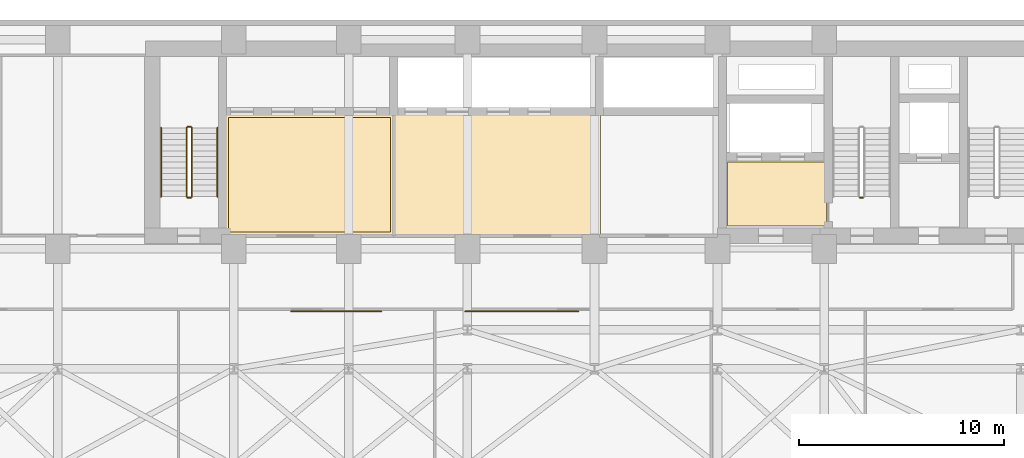
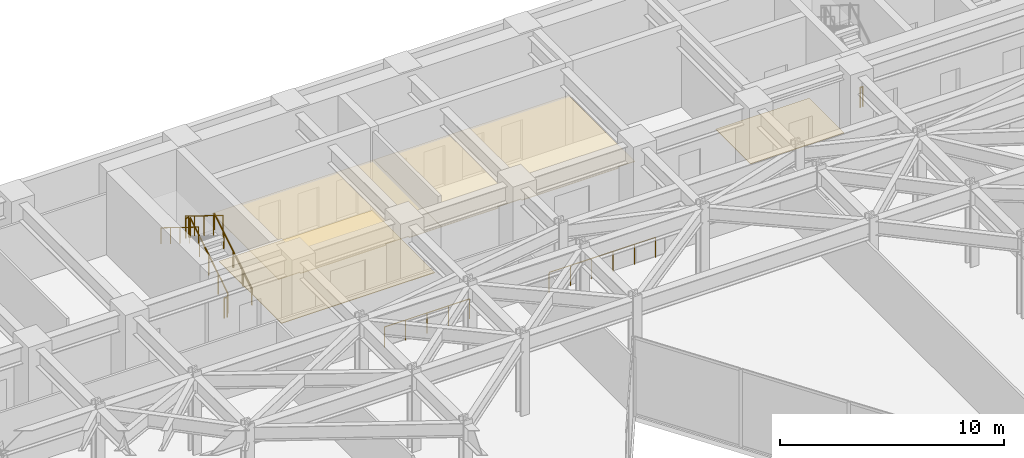
# One storey, part 27 of 28: 9 railings, 4 coverings.
"""IFC4 building model written with IfcOpenShell, lengths in metres."""

from ifc_helpers import new_model, si_unit, direction, frame, origin, origin_2d, place, context, subcontext, project, spatial, polyline, circle, outline, extrude, material, layer, layer_set, type_object, element, save


model = new_model("IFC4")

# Units and contexts
model_context = context("Model", 3, precision=1e-05, world=origin(), true_north=direction((0.0, 1.0)))
body_context = subcontext(model_context, "Body", "Model", "MODEL_VIEW")
ifc_project = project(units=[si_unit("LENGTHUNIT", "METRE"), si_unit("AREAUNIT", "SQUARE_METRE"), si_unit("VOLUMEUNIT", "CUBIC_METRE"), si_unit("PLANEANGLEUNIT", "RADIAN"), si_unit("MASSUNIT", "GRAM", prefix="KILO")], contexts=[model_context])

# Site, building, storey
site_placement = place(None, origin())
site = spatial("IfcSite", under=ifc_project, at=site_placement, CompositionType="ELEMENT")
building_placement = place(site_placement, origin())
building = spatial("IfcBuilding", under=site, at=building_placement, Name="Kravanh Interchange Tower", CompositionType="ELEMENT")
storey_placement = place(building_placement, frame((0.0, 0.0, 91.5)))
storey = spatial("IfcBuildingStorey", under=building, at=storey_placement, Name="L21", CompositionType="ELEMENT", Elevation=91.5)

# Railings
ifc_material_1 = material(Name="Structural Steel S355", Category="steel")
ifc_layer_1 = layer(ifc_material_1, 0.06005859375)
ifc_layer_set_1 = layer_set([ifc_layer_1], Name="Atrium Void Glazed Balustrade Structural Steel S355 1120mm")
railing_type_1 = type_object("IfcRailingType", Name="Atrium Void Glazed Balustrade Structural Steel S355 1120mm", PredefinedType="BALUSTRADE", material=ifc_layer_set_1)
railing_1_placement = place(storey_placement, frame((30.0, 34.300048828125, 0.0)))
element("IfcRailing", 1, at=railing_1_placement, inside=storey, type_object=railing_type_1, Name="L21 Sky Lobby Gallery Balustrade 1", PredefinedType="BALUSTRADE", context=body_context, shape_type="SweptSolid", body=[
    extrude(circle(Radius=0.02392578125, at=origin_2d()), frame((0.0, 0.0, 1.09619140625), z_axis=(1.0, 0.0, 0.0), x_axis=(0.0, 1.0, 0.0)), (0.0, 0.0, 1.0), 4.39990234375),
    extrude(circle(Radius=0.02099609375, at=origin_2d()), origin(), (0.0, 0.0, 1.0), 1.072021484375),
    extrude(circle(Radius=0.02099609375, at=origin_2d()), frame((1.10009765625, 0.0, 0.0)), (0.0, 0.0, 1.0), 1.072021484375),
    extrude(circle(Radius=0.02099609375, at=origin_2d()), frame((2.199951171875, 0.0, 0.0)), (0.0, 0.0, 1.0), 1.072021484375),
    extrude(circle(Radius=0.02099609375, at=origin_2d()), frame((3.2998046875, 0.0, 0.0)), (0.0, 0.0, 1.0), 1.072021484375),
    extrude(circle(Radius=0.02099609375, at=origin_2d()), frame((4.39990234375, 0.0, 0.0)), (0.0, 0.0, 1.0), 1.072021484375),
])
railing_2_placement = place(storey_placement, frame((38.5, 34.300048828125, 0.0)))
element("IfcRailing", 2, at=railing_2_placement, inside=storey, type_object=railing_type_1, Name="L21 Sky Lobby Gallery Balustrade 2", PredefinedType="BALUSTRADE", context=body_context, shape_type="SweptSolid", body=[
    extrude(circle(Radius=0.02392578125, at=origin_2d()), frame((0.0, 0.0, 1.09619140625), z_axis=(1.0, 0.0, 0.0), x_axis=(0.0, 1.0, 0.0)), (0.0, 0.0, 1.0), 5.5),
    extrude(circle(Radius=0.02099609375, at=origin_2d()), origin(), (0.0, 0.0, 1.0), 1.072021484375),
    extrude(circle(Radius=0.02099609375, at=origin_2d()), frame((1.10009765625, 0.0, 0.0)), (0.0, 0.0, 1.0), 1.072021484375),
    extrude(circle(Radius=0.02099609375, at=origin_2d()), frame((2.199951171875, 0.0, 0.0)), (0.0, 0.0, 1.0), 1.072021484375),
    extrude(circle(Radius=0.02099609375, at=origin_2d()), frame((3.300048828125, 0.0, 0.0)), (0.0, 0.0, 1.0), 1.072021484375),
    extrude(circle(Radius=0.02099609375, at=origin_2d()), frame((4.39990234375, 0.0, 0.0)), (0.0, 0.0, 1.0), 1.072021484375),
    extrude(circle(Radius=0.02099609375, at=origin_2d()), frame((5.5, 0.0, 0.0)), (0.0, 0.0, 1.0), 1.072021484375),
])

# Coverings
ifc_material_2 = material(Name="Cementitious Terrazzo Tile")
ifc_layer_2 = layer(ifc_material_2, 0.030029296875)
ifc_layer_set_2 = layer_set([ifc_layer_2], Name="Honed Terrazzo Lobby Flooring 30mm")
covering_type_1 = type_object("IfcCoveringType", Name="Honed Terrazzo Lobby Flooring 30mm", PredefinedType="FLOORING", material=ifc_layer_set_2)
covering_1_placement = place(storey_placement, origin())
element("IfcCovering", 3, at=covering_1_placement, inside=storey, type_object=covering_type_1, Name="L21 Firefighting Lobby Floor Finish", PredefinedType="FLOORING", context=body_context, shape_type="SweptSolid", body=[
    extrude(outline(polyline([(56.1201171875, 38.4599609375), (51.300048828125, 38.4599609375), (51.300048828125, 41.580078125), (56.1201171875, 41.580078125), (56.1201171875, 38.4599609375)])), origin(), (0.0, 0.0, 1.0), 0.030029296875),
])
covering_2_placement = place(storey_placement, origin())
element("IfcCovering", 4, at=covering_2_placement, inside=storey, type_object=covering_type_1, Name="L21 Low-Rise Lift Lobby Floor Finish", PredefinedType="FLOORING", context=body_context, shape_type="SweptSolid", body=[
    extrude(outline(polyline([(26.929931640625, 43.77001953125), (34.840087890625, 43.77001953125), (34.840087890625, 38.179931640625), (26.929931640625, 38.179931640625), (26.929931640625, 43.77001953125)])), origin(), (0.0, 0.0, 1.0), 0.030029296875),
])
ifc_material_3 = material(Name="Anodised Bronze Aluminium Acoustic Baffle", Category="aluminium")
ifc_layer_3 = layer(ifc_material_3, 0.034912109375)
ifc_layer_set_3 = layer_set([ifc_layer_3], Name="Linear Bronze Baffle Feature Ceiling 35mm")
covering_type_2 = type_object("IfcCoveringType", Name="Linear Bronze Baffle Feature Ceiling 35mm", PredefinedType="CEILING", material=ifc_layer_set_3)
covering_3_placement = place(storey_placement, frame((0.0, 0.0, 2.550048828125)))
element("IfcCovering", 5, at=covering_3_placement, inside=storey, type_object=covering_type_2, Name="L21 Low-Rise Lift Lobby Suspended Ceiling", PredefinedType="CEILING", context=body_context, shape_type="SweptSolid", body=[
    extrude(outline(polyline([(35.06005859375, 37.9599609375), (33.39990234375, 37.9599609375), (33.39990234375, 38.050048828125), (32.199951171875, 38.050048828125), (32.199951171875, 37.9599609375), (27.800048828125, 37.9599609375), (27.800048828125, 38.050048828125), (26.7099609375, 38.050048828125), (26.7099609375, 43.989990234375), (35.06005859375, 43.989990234375), (35.06005859375, 37.9599609375)])), origin(), (0.0, 0.0, 1.0), 0.034912109375),
])
covering_4_placement = place(storey_placement, frame((0.0, 0.0, 2.550048828125)))
element("IfcCovering", 6, at=covering_4_placement, inside=storey, type_object=covering_type_2, Name="L21 Mid-Rise Lift Lobby Suspended Ceiling", PredefinedType="CEILING", context=body_context, shape_type="SweptSolid", body=[
    extrude(outline(polyline([(45.090087890625, 38.050048828125), (44.199951171875, 38.050048828125), (44.199951171875, 37.9599609375), (39.199951171875, 37.9599609375), (39.199951171875, 38.050048828125), (38.0, 38.050048828125), (38.0, 37.9599609375), (34.93994140625, 37.9599609375), (34.93994140625, 43.989990234375), (45.090087890625, 43.989990234375), (45.090087890625, 38.050048828125)])), origin(), (0.0, 0.0, 1.0), 0.034912109375),
])

# Railings
ifc_material_4 = material(Name="Structural Steel S355", Category="steel")
ifc_layer_4 = layer(ifc_material_4, 0.050048828125)
ifc_layer_set_4 = layer_set([ifc_layer_4], Name="Stair Well Guardrail Structural Steel S355 1100mm")
railing_type_2 = type_object("IfcRailingType", Name="Stair Well Guardrail Structural Steel S355 1100mm", PredefinedType="GUARDRAIL", material=ifc_layer_set_4)
railing_3_placement = place(storey_placement, frame((57.89990234375, 39.85009765625, 0.0)))
element("IfcRailing", 7, at=railing_3_placement, inside=storey, type_object=railing_type_2, Name="L21 ST2 stair guard 4", PredefinedType="GUARDRAIL", context=body_context, shape_type="SweptSolid", body=[
    extrude(circle(Radius=0.02392578125, at=origin_2d()), frame((0.0, 0.0, 1.076171875), z_axis=(-1.0, 0.0, 0.0), x_axis=(0.0, -1.0, 0.0)), (0.0, 0.0, 1.0), 0.14990234375),
    extrude(circle(Radius=0.02099609375, at=origin_2d()), origin(), (0.0, 0.0, 1.0), 1.052001953125),
    extrude(circle(Radius=0.02099609375, at=origin_2d()), frame((-0.14990234375, 0.0, 0.0)), (0.0, 0.0, 1.0), 1.052001953125),
])
railing_4_placement = place(storey_placement, frame((25.14990234375, 39.89990234375, 0.173095703125)))
element("IfcRailing", 8, at=railing_4_placement, inside=storey, type_object=railing_type_2, Name="L21 ST3 stair guard 1", PredefinedType="GUARDRAIL", context=body_context, shape_type="SweptSolid", body=[
    extrude(circle(Radius=0.02392578125, at=origin_2d()), frame((0.0, 0.0, 1.076171875), z_axis=(0.0, 0.850623216509, 0.525775754039), x_axis=(-1.0, 0.0, 0.0)), (0.0, 0.0, 1.0), 3.9501953125),
    extrude(circle(Radius=0.02099609375, at=origin_2d()), origin(), (0.0, 0.0, 1.0), 1.052001953125),
    extrude(circle(Radius=0.02099609375, at=origin_2d()), frame((0.0, 0.840087890625, 0.519287109375)), (0.0, 0.0, 1.0), 1.052001953125),
    extrude(circle(Radius=0.02099609375, at=origin_2d()), frame((0.0, 1.68017578125, 1.03857421875)), (0.0, 0.0, 1.0), 1.052001953125),
    extrude(circle(Radius=0.02099609375, at=origin_2d()), frame((0.0, 2.52001953125, 1.5576171875)), (0.0, 0.0, 1.0), 1.052001953125),
    extrude(circle(Radius=0.02099609375, at=origin_2d()), frame((0.0, 3.360107421875, 2.076904296875)), (0.0, 0.0, 1.0), 1.052001953125),
])
railing_5_placement = place(storey_placement, frame((25.10009765625, 43.31005859375, 2.25)))
element("IfcRailing", 9, at=railing_5_placement, inside=storey, type_object=railing_type_2, Name="L21 ST3 stair guard 2", PredefinedType="GUARDRAIL", context=body_context, shape_type="SweptSolid", body=[
    extrude(circle(Radius=0.02392578125, at=origin_2d()), frame((0.0, 0.0, 1.076171875), z_axis=(-1.0, 0.0, 0.0), x_axis=(0.0, -1.0, 0.0)), (0.0, 0.0, 1.0), 0.150146484375),
    extrude(circle(Radius=0.02099609375, at=origin_2d()), origin(), (0.0, 0.0, 1.0), 1.052001953125),
    extrude(circle(Radius=0.02099609375, at=origin_2d()), frame((-0.150146484375, 0.0, 0.0)), (0.0, 0.0, 1.0), 1.052001953125),
])
railing_6_placement = place(storey_placement, frame((24.89990234375, 43.260009765625, 2.423095703125)))
element("IfcRailing", 10, at=railing_6_placement, inside=storey, type_object=railing_type_2, Name="L21 ST3 stair guard 3", PredefinedType="GUARDRAIL", context=body_context, shape_type="SweptSolid", body=[
    extrude(circle(Radius=0.02392578125, at=origin_2d()), frame((0.0, 0.0, 1.076171875), z_axis=(0.0, -0.850623216509, 0.525775754039), x_axis=(1.0, 0.0, 0.0)), (0.0, 0.0, 1.0), 3.9501953125),
    extrude(circle(Radius=0.02099609375, at=origin_2d()), origin(), (0.0, 0.0, 1.0), 1.052001953125),
    extrude(circle(Radius=0.02099609375, at=origin_2d()), frame((0.0, -0.840087890625, 0.519287109375)), (0.0, 0.0, 1.0), 1.052001953125),
    extrude(circle(Radius=0.02099609375, at=origin_2d()), frame((0.0, -1.68017578125, 1.03857421875)), (0.0, 0.0, 1.0), 1.052001953125),
    extrude(circle(Radius=0.02099609375, at=origin_2d()), frame((0.0, -2.52001953125, 1.5576171875)), (0.0, 0.0, 1.0), 1.052001953125),
    extrude(circle(Radius=0.02099609375, at=origin_2d()), frame((0.0, -3.360107421875, 2.076904296875)), (0.0, 0.0, 1.0), 1.052001953125),
])
railing_7_placement = place(storey_placement, frame((25.10009765625, 39.85009765625, 0.0)))
element("IfcRailing", 11, at=railing_7_placement, inside=storey, type_object=railing_type_2, Name="L21 ST3 stair guard 4", PredefinedType="GUARDRAIL", context=body_context, shape_type="SweptSolid", body=[
    extrude(circle(Radius=0.02392578125, at=origin_2d()), frame((0.0, 0.0, 1.076171875), z_axis=(-1.0, 0.0, 0.0), x_axis=(0.0, -1.0, 0.0)), (0.0, 0.0, 1.0), 0.150146484375),
    extrude(circle(Radius=0.02099609375, at=origin_2d()), origin(), (0.0, 0.0, 1.0), 1.052001953125),
    extrude(circle(Radius=0.02099609375, at=origin_2d()), frame((-0.150146484375, 0.0, 0.0)), (0.0, 0.0, 1.0), 1.052001953125),
])
ifc_material_5 = material(Name="Stainless Steel 304", Category="steel")
ifc_layer_5 = layer(ifc_material_5, 0.044921875)
ifc_layer_set_5 = layer_set([ifc_layer_5], Name="Tubular Stair Handrail Stainless 304 900mm")
railing_type_3 = type_object("IfcRailingType", Name="Tubular Stair Handrail Stainless 304 900mm", PredefinedType="HANDRAIL", material=ifc_layer_set_5)
railing_8_placement = place(storey_placement, frame((26.39990234375, 39.89990234375, 0.173095703125)))
element("IfcRailing", 12, at=railing_8_placement, inside=storey, type_object=railing_type_3, Name="L21 ST3 stair handrail 1", PredefinedType="HANDRAIL", context=body_context, shape_type="SweptSolid", body=[
    extrude(circle(Radius=0.02392578125, at=origin_2d()), frame((0.0, 0.0, 0.8759765625), z_axis=(0.0, 0.850623216509, 0.525775754039), x_axis=(-1.0, 0.0, 0.0)), (0.0, 0.0, 1.0), 3.9501953125),
    extrude(circle(Radius=0.02099609375, at=origin_2d()), origin(), (0.0, 0.0, 1.0), 0.851806640625),
    extrude(circle(Radius=0.02099609375, at=origin_2d()), frame((0.0, 0.840087890625, 0.519287109375)), (0.0, 0.0, 1.0), 0.851806640625),
    extrude(circle(Radius=0.02099609375, at=origin_2d()), frame((0.0, 1.68017578125, 1.03857421875)), (0.0, 0.0, 1.0), 0.851806640625),
    extrude(circle(Radius=0.02099609375, at=origin_2d()), frame((0.0, 2.52001953125, 1.5576171875)), (0.0, 0.0, 1.0), 0.851806640625),
    extrude(circle(Radius=0.02099609375, at=origin_2d()), frame((0.0, 3.360107421875, 2.076904296875)), (0.0, 0.0, 1.0), 0.851806640625),
])
railing_9_placement = place(storey_placement, frame((23.64990234375, 43.260009765625, 2.423095703125)))
element("IfcRailing", 13, at=railing_9_placement, inside=storey, type_object=railing_type_3, Name="L21 ST3 stair handrail 2", PredefinedType="HANDRAIL", context=body_context, shape_type="SweptSolid", body=[
    extrude(circle(Radius=0.02392578125, at=origin_2d()), frame((0.0, 0.0, 0.8759765625), z_axis=(0.0, -0.850623216509, 0.525775754039), x_axis=(1.0, 0.0, 0.0)), (0.0, 0.0, 1.0), 3.9501953125),
    extrude(circle(Radius=0.02099609375, at=origin_2d()), origin(), (0.0, 0.0, 1.0), 0.851806640625),
    extrude(circle(Radius=0.02099609375, at=origin_2d()), frame((0.0, -0.840087890625, 0.519287109375)), (0.0, 0.0, 1.0), 0.851806640625),
    extrude(circle(Radius=0.02099609375, at=origin_2d()), frame((0.0, -1.68017578125, 1.03857421875)), (0.0, 0.0, 1.0), 0.851806640625),
    extrude(circle(Radius=0.02099609375, at=origin_2d()), frame((0.0, -2.52001953125, 1.5576171875)), (0.0, 0.0, 1.0), 0.851806640625),
    extrude(circle(Radius=0.02099609375, at=origin_2d()), frame((0.0, -3.360107421875, 2.076904296875)), (0.0, 0.0, 1.0), 0.851806640625),
])

save(model, "model.ifc")
